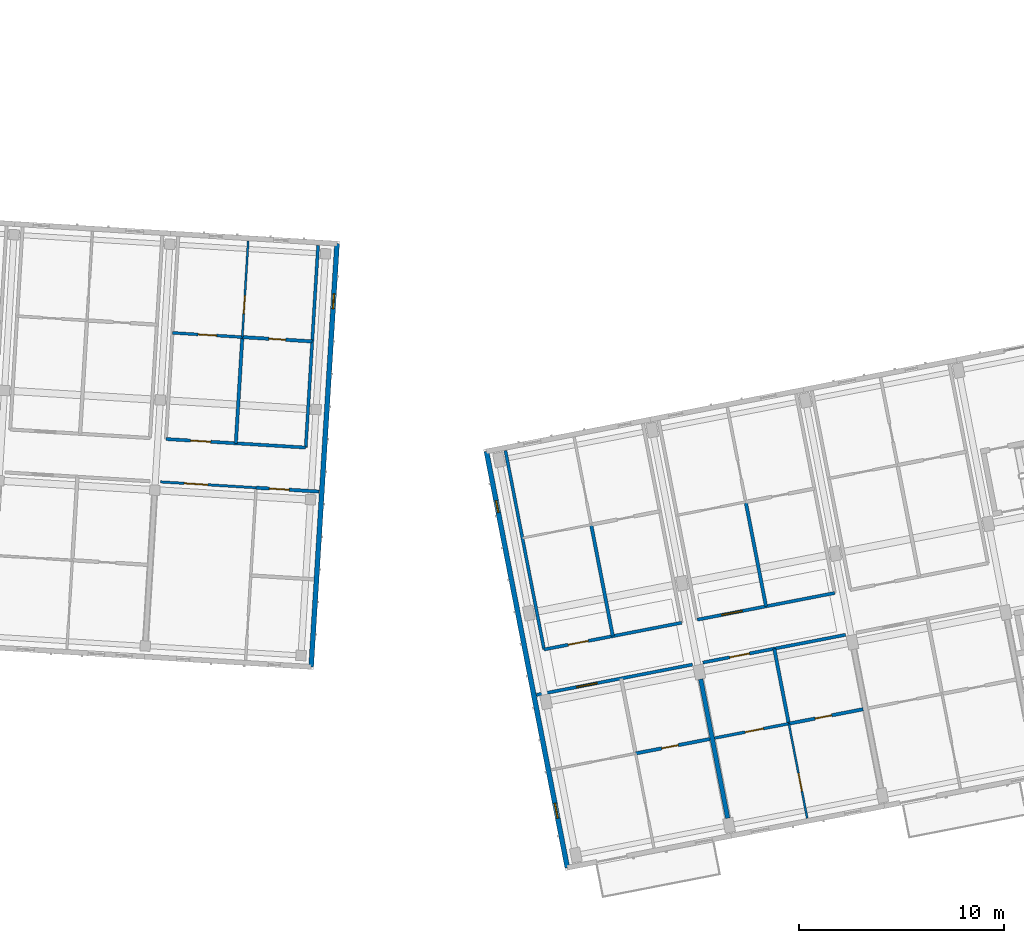
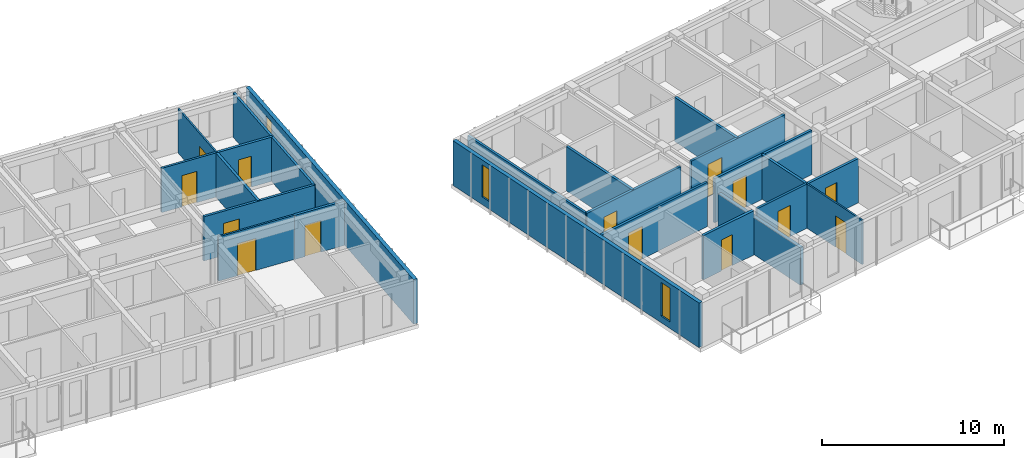
# One storey, part 28 of 66: 23 walls, 14 doors, 3 windows, 17 openings.
"""IFC4 building model written with IfcOpenShell, lengths in metres."""

from ifc_helpers import new_model, si_unit, direction, frame, frame_2d, origin, place, context, subcontext, project, spatial, rectangle, extrude, material, layer, layer_set, type_object, element, fill, save


model = new_model("IFC4")

# Units and contexts
model_context = context("Model", 3, precision=1e-05, world=origin(), true_north=direction((0.0, 1.0)))
body_context = subcontext(model_context, "Body", "Model", "MODEL_VIEW")
ifc_project = project(units=[si_unit("LENGTHUNIT", "METRE"), si_unit("AREAUNIT", "SQUARE_METRE"), si_unit("VOLUMEUNIT", "CUBIC_METRE"), si_unit("PLANEANGLEUNIT", "RADIAN"), si_unit("MASSUNIT", "GRAM", prefix="KILO")], contexts=[model_context])

# Site, building, storey
site_placement = place(None, origin())
site = spatial("IfcSite", under=ifc_project, at=site_placement, CompositionType="ELEMENT")
building_placement = place(site_placement, origin())
building = spatial("IfcBuilding", under=site, at=building_placement, Name="Kestramere Prow Commons", CompositionType="ELEMENT")
storey_placement = place(building_placement, frame((0.0, 0.0, 14.89990234375)))
storey = spatial("IfcBuildingStorey", under=building, at=storey_placement, Name="L04", CompositionType="ELEMENT", Elevation=14.89990234375)

# Wall, opening, window
ifc_material_1 = material(Name="Fluoropolymer Standing-Seam Zinc-Aluminium Cladding", Category="aluminium")
ifc_layer_1 = layer(ifc_material_1, 0.239990234375)
ifc_layer_set_1 = layer_set([ifc_layer_1], Name="Fluoropolymer Standing-Seam Zinc-Aluminium Cladding")
wall_type_1 = type_object("IfcWallType", Name="EW-SEAM-240", PredefinedType="SOLIDWALL", material=ifc_layer_set_1)
wall_1_placement = place(storey_placement, frame((106.767578125, 63.771484375, 0.0), z_axis=(0.0, 0.0, 1.0), x_axis=(-0.061053332998, -0.99813450523, 0.0)))
wall_1 = element("IfcWall", 1, at=wall_1_placement, inside=storey, type_object=wall_type_1, Name="Block C L04 EAV Facet Wall", PredefinedType="SOLIDWALL", context=body_context, shape_type="SweptSolid", body=[
    extrude(rectangle(XDim=20.64990234375, YDim=0.239990234375, at=frame_2d((10.324951171875, 0.0))), origin(), (0.0, 0.0, 1.0), 3.0),
])
opening_1_placement = place(wall_1_placement, frame((2.449951171875, 0.0, 0.449951171875)))
opening_1 = element("IfcOpeningElement", 2, at=opening_1_placement, cuts=wall_1, Name="Opening WN-08", PredefinedType="OPENING", context=body_context, shape_type="SweptSolid", body=[
    extrude(rectangle(XDim=0.719970703125, YDim=2.159912109375, at=frame_2d((0.35986328125, 1.080078125))), frame((0.0, 0.135009765625, 0.0), z_axis=(0.0, -1.0, 0.0), x_axis=(1.0, 0.0, 0.0)), (0.0, 0.0, 1.0), 0.27001953125),
])
ifc_material_2 = material(Name="Low-E Laminated Double Glazing", Category="glass")
window_type_1 = type_object("IfcWindowType", Name="WN-NAR-720A", PartitioningType="SINGLE_PANEL", PredefinedType="WINDOW", material=ifc_material_2)
window_1_placement = place(opening_1_placement, origin())
window_1 = element("IfcWindow", 3, at=window_1_placement, inside=storey, type_object=window_type_1, Name="WN-C-L04-EAV-0", OverallHeight=2.159912109375, OverallWidth=0.719970703125, PartitioningType="SINGLE_PANEL", PredefinedType="WINDOW", context=body_context, shape_type="SweptSolid", body=[
    extrude(rectangle(XDim=0.719970703125, YDim=2.159912109375, at=frame_2d((0.35986328125, 1.080078125))), frame((0.0, 0.030029296875, 0.0), z_axis=(0.0, -1.0, 0.0), x_axis=(1.0, 0.0, 0.0)), (0.0, 0.0, 1.0), 0.06005859375),
])
fill(opening_1, window_1)

# Wall, openings, windows
wall_2_placement = place(storey_placement, frame((117.98486328125, 33.384521484375, 0.0), z_axis=(0.0, 0.0, 1.0), x_axis=(-0.190808900739, 0.981627201843, 0.0)))
wall_2 = element("IfcWall", 4, at=wall_2_placement, inside=storey, type_object=wall_type_1, Name="Block D L04 EAV Facet Wall", PredefinedType="SOLIDWALL", context=body_context, shape_type="SweptSolid", body=[
    extrude(rectangle(XDim=20.64990234375, YDim=0.239990234375, at=frame_2d((10.324951171875, 0.0))), origin(), (0.0, 0.0, 1.0), 3.0),
])
opening_2_placement = place(wall_2_placement, frame((2.449951171875, 0.0, 0.449951171875)))
opening_2 = element("IfcOpeningElement", 5, at=opening_2_placement, cuts=wall_2, Name="Opening WN-09", PredefinedType="OPENING", context=body_context, shape_type="SweptSolid", body=[
    extrude(rectangle(XDim=0.739990234375, YDim=2.260009765625, at=frame_2d((0.3701171875, 1.1298828125))), frame((0.0, 0.135009765625, 0.0), z_axis=(0.0, -1.0, 0.0), x_axis=(1.0, 0.0, 0.0)), (0.0, 0.0, 1.0), 0.27001953125),
])
opening_3_placement = place(wall_2_placement, frame((17.6201171875, 0.0, 0.52001953125)))
opening_3 = element("IfcOpeningElement", 6, at=opening_3_placement, cuts=wall_2, Name="Opening WN-01", PredefinedType="OPENING", context=body_context, shape_type="SweptSolid", body=[
    extrude(rectangle(XDim=0.580078125, YDim=2.159912109375, at=frame_2d((0.2900390625, 1.080078125))), frame((0.0, 0.135009765625, 0.0), z_axis=(0.0, -1.0, 0.0), x_axis=(1.0, 0.0, 0.0)), (0.0, 0.0, 1.0), 0.27001953125),
])
window_type_2 = type_object("IfcWindowType", Name="WN-NAR-580A", PartitioningType="SINGLE_PANEL", PredefinedType="WINDOW", material=ifc_material_2)
window_2_placement = place(opening_3_placement, origin())
window_2 = element("IfcWindow", 7, at=window_2_placement, inside=storey, type_object=window_type_2, Name="WN-D-L04-EAV-1", OverallHeight=2.159912109375, OverallWidth=0.580078125, PartitioningType="SINGLE_PANEL", PredefinedType="WINDOW", context=body_context, shape_type="SweptSolid", body=[
    extrude(rectangle(XDim=0.580078125, YDim=2.159912109375, at=frame_2d((0.2900390625, 1.080078125))), frame((0.0, 0.030029296875, 0.0), z_axis=(0.0, -1.0, 0.0), x_axis=(1.0, 0.0, 0.0)), (0.0, 0.0, 1.0), 0.06005859375),
])
fill(opening_3, window_2)
window_type_3 = type_object("IfcWindowType", Name="WN-NAR-740A", PartitioningType="SINGLE_PANEL", PredefinedType="WINDOW", material=ifc_material_2)
window_3_placement = place(opening_2_placement, origin())
window_3 = element("IfcWindow", 8, at=window_3_placement, inside=storey, type_object=window_type_3, Name="WN-D-L04-EAV-0", OverallHeight=2.260009765625, OverallWidth=0.739990234375, PartitioningType="SINGLE_PANEL", PredefinedType="WINDOW", context=body_context, shape_type="SweptSolid", body=[
    extrude(rectangle(XDim=0.739990234375, YDim=2.260009765625, at=frame_2d((0.3701171875, 1.1298828125))), frame((0.0, 0.030029296875, 0.0), z_axis=(0.0, -1.0, 0.0), x_axis=(1.0, 0.0, 0.0)), (0.0, 0.0, 1.0), 0.06005859375),
])
fill(opening_2, window_3)

# Wall, opening, door
ifc_material_3 = material(Name="Fire-Rated Calcium Silicate Wall")
ifc_layer_2 = layer(ifc_material_3, 0.155029296875)
ifc_layer_set_2 = layer_set([ifc_layer_2], Name="Fire-Rated Calcium Silicate Wall")
wall_type_2 = type_object("IfcWallType", Name="W-FIRE-150", PredefinedType="PARTITIONING", material=ifc_layer_set_2)
wall_3_placement = place(storey_placement, frame((98.436279296875, 54.257568359375, 0.0), z_axis=(0.0, 0.0, 1.0), x_axis=(0.998133350094, -0.061072214879, 0.0)))
wall_3 = element("IfcWall", 9, at=wall_3_placement, inside=storey, type_object=wall_type_2, Name="Interior Partition PW-C-L04-CN-5", PredefinedType="PARTITIONING", context=body_context, shape_type="SweptSolid", body=[
    extrude(rectangle(XDim=6.81982421875, YDim=0.155029296875, at=frame_2d((3.409912109375, 0.0))), origin(), (0.0, 0.0, 1.0), 2.97021484375),
])
opening_4_placement = place(wall_3_placement, frame((1.205078125, 0.0, 0.0)))
opening_4 = element("IfcOpeningElement", 10, at=opening_4_placement, cuts=wall_3, Name="Opening ID-04", PredefinedType="OPENING", context=body_context, shape_type="SweptSolid", body=[
    extrude(rectangle(XDim=0.97998046875, YDim=2.14990234375, at=frame_2d((0.489990234375, 1.074951171875))), frame((0.0, 0.092529296875, 0.0), z_axis=(0.0, -1.0, 0.0), x_axis=(1.0, 0.0, 0.0)), (0.0, 0.0, 1.0), 0.18505859375),
])
ifc_material_4 = material(Name="Hardwood Fire-Rated Flat Entrance Door", Category="wood")
door_type_1 = type_object("IfcDoorType", Name="FD-ENT-01", OperationType="NOTDEFINED", PredefinedType="DOOR", material=ifc_material_4)
door_1_placement = place(opening_4_placement, origin())
door_1 = element("IfcDoor", 11, at=door_1_placement, inside=storey, type_object=door_type_1, Name="Interior Door DR-C-L04-ENT-N5", OperationType="SINGLE_SWING_RIGHT", OverallHeight=2.14990234375, OverallWidth=0.97998046875, PredefinedType="DOOR", context=body_context, shape_type="SweptSolid", body=[
    extrude(rectangle(XDim=0.97998046875, YDim=2.14990234375, at=frame_2d((0.489990234375, 1.074951171875))), frame((0.0, 0.02490234375, 0.0), z_axis=(0.0, -1.0, 0.0), x_axis=(1.0, 0.0, 0.0)), (0.0, 0.0, 1.0), 0.050048828125),
])
fill(opening_4, door_1)

wall_4_placement = place(storey_placement, frame((116.48193359375, 41.79736328125, 0.0), z_axis=(0.0, 0.0, 1.0), x_axis=(0.981629678105, 0.190796161028, 0.0)))
wall_4 = element("IfcWall", 12, at=wall_4_placement, inside=storey, type_object=wall_type_2, Name="Interior Partition PW-D-L04-CS-0", PredefinedType="PARTITIONING", context=body_context, shape_type="SweptSolid", body=[
    extrude(rectangle(XDim=7.735107421875, YDim=0.155029296875, at=frame_2d((3.86767578125, 0.0))), origin(), (0.0, 0.0, 1.0), 2.97021484375),
])
opening_5_placement = place(wall_4_placement, frame((1.985107421875, 0.0, 0.0)))
opening_5 = element("IfcOpeningElement", 13, at=opening_5_placement, cuts=wall_4, Name="Opening ID-05", PredefinedType="OPENING", context=body_context, shape_type="SweptSolid", body=[
    extrude(rectangle(XDim=1.02001953125, YDim=2.199951171875, at=frame_2d((0.510009765625, 1.10009765625))), frame((0.0, 0.092529296875, 0.0), z_axis=(0.0, -1.0, 0.0), x_axis=(1.0, 0.0, 0.0)), (0.0, 0.0, 1.0), 0.18505859375),
])
door_type_2 = type_object("IfcDoorType", Name="FD-ENT-02", OperationType="NOTDEFINED", PredefinedType="DOOR", material=ifc_material_4)
door_2_placement = place(opening_5_placement, origin())
door_2 = element("IfcDoor", 14, at=door_2_placement, inside=storey, type_object=door_type_2, Name="Interior Door DR-D-L04-ENT-S0", OperationType="SINGLE_SWING_LEFT", OverallHeight=2.199951171875, OverallWidth=1.02001953125, PredefinedType="DOOR", context=body_context, shape_type="SweptSolid", body=[
    extrude(rectangle(XDim=1.02001953125, YDim=2.199951171875, at=frame_2d((0.510009765625, 1.10009765625))), frame((0.0, 0.02490234375, 0.0), z_axis=(0.0, -1.0, 0.0), x_axis=(1.0, 0.0, 0.0)), (0.0, 0.0, 1.0), 0.050048828125),
])
fill(opening_5, door_2)

wall_5_placement = place(storey_placement, frame((124.585205078125, 43.372314453125, 0.0), z_axis=(0.0, 0.0, 1.0), x_axis=(0.9816234647, 0.190828125677, 0.0)))
wall_5 = element("IfcWall", 15, at=wall_5_placement, inside=storey, type_object=wall_type_2, Name="Interior Partition PW-D-L04-CS-1", PredefinedType="PARTITIONING", context=body_context, shape_type="SweptSolid", body=[
    extrude(rectangle(XDim=7.080078125, YDim=0.155029296875, at=frame_2d((3.5400390625, 0.0))), origin(), (0.0, 0.0, 1.0), 2.97021484375),
])
opening_6_placement = place(wall_5_placement, frame((1.330078125, 0.0, 0.0)))
opening_6 = element("IfcOpeningElement", 16, at=opening_6_placement, cuts=wall_5, Name="Opening ID-04", PredefinedType="OPENING", context=body_context, shape_type="SweptSolid", body=[
    extrude(rectangle(XDim=0.97998046875, YDim=2.14990234375, at=frame_2d((0.489990234375, 1.074951171875))), frame((0.0, 0.092529296875, 0.0), z_axis=(0.0, -1.0, 0.0), x_axis=(1.0, 0.0, 0.0)), (0.0, 0.0, 1.0), 0.18505859375),
])
door_3_placement = place(opening_6_placement, origin())
door_3 = element("IfcDoor", 17, at=door_3_placement, inside=storey, type_object=door_type_1, Name="Interior Door DR-D-L04-ENT-S1", OperationType="SINGLE_SWING_RIGHT", OverallHeight=2.14990234375, OverallWidth=0.97998046875, PredefinedType="DOOR", context=body_context, shape_type="SweptSolid", body=[
    extrude(rectangle(XDim=0.97998046875, YDim=2.14990234375, at=frame_2d((0.489990234375, 1.074951171875))), frame((0.0, 0.02490234375, 0.0), z_axis=(0.0, -1.0, 0.0), x_axis=(1.0, 0.0, 0.0)), (0.0, 0.0, 1.0), 0.050048828125),
])
fill(opening_6, door_3)

wall_6_placement = place(storey_placement, frame((116.851806640625, 44.008544921875, 0.0), z_axis=(0.0, 0.0, 1.0), x_axis=(0.981629173664, 0.190798756314, 0.0)))
wall_6 = element("IfcWall", 18, at=wall_6_placement, inside=storey, type_object=wall_type_2, Name="Interior Partition PW-D-L04-CN-0", PredefinedType="PARTITIONING", context=body_context, shape_type="SweptSolid", body=[
    extrude(rectangle(XDim=6.820068359375, YDim=0.155029296875, at=frame_2d((3.41015625, 0.0))), origin(), (0.0, 0.0, 1.0), 2.97021484375),
])
opening_7_placement = place(wall_6_placement, frame((1.205078125, 0.0, 0.0)))
opening_7 = element("IfcOpeningElement", 19, at=opening_7_placement, cuts=wall_6, Name="Opening ID-04", PredefinedType="OPENING", context=body_context, shape_type="SweptSolid", body=[
    extrude(rectangle(XDim=0.97998046875, YDim=2.14990234375, at=frame_2d((0.489990234375, 1.074951171875))), frame((0.0, 0.092529296875, 0.0), z_axis=(0.0, -1.0, 0.0), x_axis=(1.0, 0.0, 0.0)), (0.0, 0.0, 1.0), 0.18505859375),
])
door_4_placement = place(opening_7_placement, origin())
door_4 = element("IfcDoor", 20, at=door_4_placement, inside=storey, type_object=door_type_1, Name="Interior Door DR-D-L04-ENT-N0", OperationType="SINGLE_SWING_RIGHT", OverallHeight=2.14990234375, OverallWidth=0.97998046875, PredefinedType="DOOR", context=body_context, shape_type="SweptSolid", body=[
    extrude(rectangle(XDim=0.97998046875, YDim=2.14990234375, at=frame_2d((0.489990234375, 1.074951171875))), frame((0.0, 0.02490234375, 0.0), z_axis=(0.0, -1.0, 0.0), x_axis=(1.0, 0.0, 0.0)), (0.0, 0.0, 1.0), 0.050048828125),
])
fill(opening_7, door_4)

wall_7_placement = place(storey_placement, frame((124.312255859375, 45.458740234375, 0.0), z_axis=(0.0, 0.0, 1.0), x_axis=(0.981627870431, 0.190805461121, 0.0)))
wall_7 = element("IfcWall", 21, at=wall_7_placement, inside=storey, type_object=wall_type_2, Name="Interior Partition PW-D-L04-CN-1", PredefinedType="PARTITIONING", context=body_context, shape_type="SweptSolid", body=[
    extrude(rectangle(XDim=6.81982421875, YDim=0.155029296875, at=frame_2d((3.409912109375, 0.0))), origin(), (0.0, 0.0, 1.0), 2.97021484375),
])
opening_8_placement = place(wall_7_placement, frame((1.205078125, 0.0, 0.0)))
opening_8 = element("IfcOpeningElement", 22, at=opening_8_placement, cuts=wall_7, Name="Opening ID-05", PredefinedType="OPENING", context=body_context, shape_type="SweptSolid", body=[
    extrude(rectangle(XDim=1.02001953125, YDim=2.199951171875, at=frame_2d((0.510009765625, 1.10009765625))), frame((0.0, 0.092529296875, 0.0), z_axis=(0.0, -1.0, 0.0), x_axis=(1.0, 0.0, 0.0)), (0.0, 0.0, 1.0), 0.18505859375),
])
door_5_placement = place(opening_8_placement, origin())
door_5 = element("IfcDoor", 23, at=door_5_placement, inside=storey, type_object=door_type_2, Name="Interior Door DR-D-L04-ENT-N1", OperationType="SINGLE_SWING_LEFT", OverallHeight=2.199951171875, OverallWidth=1.02001953125, PredefinedType="DOOR", context=body_context, shape_type="SweptSolid", body=[
    extrude(rectangle(XDim=1.02001953125, YDim=2.199951171875, at=frame_2d((0.510009765625, 1.10009765625))), frame((0.0, 0.02490234375, 0.0), z_axis=(0.0, -1.0, 0.0), x_axis=(1.0, 0.0, 0.0)), (0.0, 0.0, 1.0), 0.050048828125),
])
fill(opening_8, door_5)

ifc_material_5 = material(Name="Gypsum Acoustic Drywall")
ifc_layer_3 = layer(ifc_material_5, 0.10009765625)
ifc_layer_set_3 = layer_set([ifc_layer_3], Name="Gypsum Acoustic Drywall")
wall_type_3 = type_object("IfcWallType", Name="W-PART-100", PredefinedType="PARTITIONING", material=ifc_layer_set_3)
wall_8_placement = place(storey_placement, frame((102.156005859375, 59.2197265625, 0.0), z_axis=(0.0, 0.0, 1.0), x_axis=(0.061062434628, 0.998133948465, 0.0)))
wall_8 = element("IfcWall", 24, at=wall_8_placement, inside=storey, type_object=wall_type_3, Name="Interior Partition PW-C-L04-LB-N5", PredefinedType="PARTITIONING", context=body_context, shape_type="SweptSolid", body=[
    extrude(rectangle(XDim=4.68994140625, YDim=0.10009765625, at=frame_2d((2.344970703125, 0.0))), origin(), (0.0, 0.0, 1.0), 2.97021484375),
])
opening_9_placement = place(wall_8_placement, frame((1.14990234375, 0.0, 0.0)))
opening_9 = element("IfcOpeningElement", 25, at=opening_9_placement, cuts=wall_8, Name="Opening ID-10", PredefinedType="OPENING", context=body_context, shape_type="SweptSolid", body=[
    extrude(rectangle(XDim=0.8798828125, YDim=2.10009765625, at=frame_2d((0.43994140625, 1.050048828125))), frame((0.0, 0.06494140625, 0.0), z_axis=(0.0, -1.0, 0.0), x_axis=(1.0, 0.0, 0.0)), (0.0, 0.0, 1.0), 0.130126953125),
])
ifc_material_6 = material(Name="Engineered Timber Bedroom Door", Category="wood")
door_type_3 = type_object("IfcDoorType", Name="D-RM-03", OperationType="NOTDEFINED", PredefinedType="DOOR", material=ifc_material_6)
door_6_placement = place(opening_9_placement, origin())
door_6 = element("IfcDoor", 26, at=door_6_placement, inside=storey, type_object=door_type_3, Name="Interior Door DR-C-L04-BED-N5", OperationType="SINGLE_SWING_LEFT", OverallHeight=2.10009765625, OverallWidth=0.8798828125, PredefinedType="DOOR", context=body_context, shape_type="SweptSolid", body=[
    extrude(rectangle(XDim=0.8798828125, YDim=2.10009765625, at=frame_2d((0.43994140625, 1.050048828125))), frame((0.0, 0.02490234375, 0.0), z_axis=(0.0, -1.0, 0.0), x_axis=(1.0, 0.0, 0.0)), (0.0, 0.0, 1.0), 0.050048828125),
])
fill(opening_9, door_6)

wall_9_placement = place(storey_placement, frame((129.6650390625, 35.79248046875, 0.0), z_axis=(0.0, 0.0, 1.0), x_axis=(-0.190837612577, 0.981621620394, 0.0)))
wall_9 = element("IfcWall", 27, at=wall_9_placement, inside=storey, type_object=wall_type_3, Name="Interior Partition PW-D-L04-LB-S1", PredefinedType="PARTITIONING", context=body_context, shape_type="SweptSolid", body=[
    extrude(rectangle(XDim=4.68994140625, YDim=0.10009765625, at=frame_2d((2.344970703125, 0.0))), origin(), (0.0, 0.0, 1.0), 2.97021484375),
])
opening_10_placement = place(wall_9_placement, frame((1.35009765625, 0.0, 0.0)))
opening_10 = element("IfcOpeningElement", 28, at=opening_10_placement, cuts=wall_9, Name="Opening ID-10", PredefinedType="OPENING", context=body_context, shape_type="SweptSolid", body=[
    extrude(rectangle(XDim=0.8798828125, YDim=2.10009765625, at=frame_2d((0.43994140625, 1.050048828125))), frame((0.0, 0.06494140625, 0.0), z_axis=(0.0, -1.0, 0.0), x_axis=(1.0, 0.0, 0.0)), (0.0, 0.0, 1.0), 0.130126953125),
])
door_7_placement = place(opening_10_placement, origin())
door_7 = element("IfcDoor", 29, at=door_7_placement, inside=storey, type_object=door_type_3, Name="Interior Door DR-D-L04-BED-S1", OperationType="SINGLE_SWING_RIGHT", OverallHeight=2.10009765625, OverallWidth=0.8798828125, PredefinedType="DOOR", context=body_context, shape_type="SweptSolid", body=[
    extrude(rectangle(XDim=0.8798828125, YDim=2.10009765625, at=frame_2d((0.43994140625, 1.050048828125))), frame((0.0, 0.02490234375, 0.0), z_axis=(0.0, -1.0, 0.0), x_axis=(1.0, 0.0, 0.0)), (0.0, 0.0, 1.0), 0.050048828125),
])
fill(opening_10, door_7)

ifc_material_7 = material(Name="Lightweight Blockwork and Plaster", Category="masonry")
ifc_layer_4 = layer(ifc_material_7, 0.1201171875)
ifc_layer_set_4 = layer_set([ifc_layer_4], Name="Lightweight Blockwork and Plaster")
wall_type_4 = type_object("IfcWallType", Name="W-PART-120", PredefinedType="PARTITIONING", material=ifc_layer_set_4)
wall_10_placement = place(storey_placement, frame((98.17822265625, 52.16943359375, 0.0), z_axis=(0.0, 0.0, 1.0), x_axis=(0.998132468034, -0.061086629106, 0.0)))
wall_10 = element("IfcWall", 30, at=wall_10_placement, inside=storey, type_object=wall_type_4, Name="Interior Partition PW-C-L04-CS-5A", PredefinedType="PARTITIONING", context=body_context, shape_type="SweptSolid", body=[
    extrude(rectangle(XDim=4.66015625, YDim=0.1201171875, at=frame_2d((2.330078125, 0.0))), origin(), (0.0, 0.0, 1.0), 2.97021484375),
])
opening_11_placement = place(wall_10_placement, frame((1.14990234375, 0.0, 0.0)))
opening_11 = element("IfcOpeningElement", 31, at=opening_11_placement, cuts=wall_10, Name="Opening ID-09", PredefinedType="OPENING", context=body_context, shape_type="SweptSolid", body=[
    extrude(rectangle(XDim=1.14990234375, YDim=2.14990234375, at=frame_2d((0.574951171875, 1.074951171875))), frame((0.0, 0.074951171875, 0.0), z_axis=(0.0, -1.0, 0.0), x_axis=(1.0, 0.0, 0.0)), (0.0, 0.0, 1.0), 0.150146484375),
])
ifc_material_8 = material(Name="Engineered Timber Acoustic Door", Category="wood")
door_type_4 = type_object("IfcDoorType", Name="D-RM-02", OperationType="NOTDEFINED", PredefinedType="DOOR", material=ifc_material_8)
door_8_placement = place(opening_11_placement, origin())
door_8 = element("IfcDoor", 32, at=door_8_placement, inside=storey, type_object=door_type_4, Name="Interior Door DR-C-L04-SKY-5", OperationType="SINGLE_SWING_LEFT", OverallHeight=2.14990234375, OverallWidth=1.14990234375, PredefinedType="DOOR", context=body_context, shape_type="SweptSolid", body=[
    extrude(rectangle(XDim=1.14990234375, YDim=2.14990234375, at=frame_2d((0.574951171875, 1.074951171875))), frame((0.0, 0.02490234375, 0.0), z_axis=(0.0, -1.0, 0.0), x_axis=(1.0, 0.0, 0.0)), (0.0, 0.0, 1.0), 0.050048828125),
])
fill(opening_11, door_8)

ifc_material_9 = material(Name="Masonry Compartment Wall", Category="masonry")
ifc_layer_5 = layer(ifc_material_9, 0.139892578125)
ifc_layer_set_5 = layer_set([ifc_layer_5], Name="Masonry Compartment Wall")
wall_type_5 = type_object("IfcWallType", Name="W-PART-140", PredefinedType="PARTITIONING", material=ifc_layer_set_5)
wall_11_placement = place(storey_placement, frame((98.75244140625, 59.427734375, 0.0), z_axis=(0.0, 0.0, 1.0), x_axis=(0.998137711988, -0.061000884486, 0.0)))
wall_11 = element("IfcWall", 33, at=wall_11_placement, inside=storey, type_object=wall_type_5, Name="Interior Partition PW-C-L04-MIDN1-5", PredefinedType="PARTITIONING", context=body_context, shape_type="SweptSolid", body=[
    extrude(rectangle(XDim=3.409912109375, YDim=0.139892578125, at=frame_2d((1.705078125, 0.0))), origin(), (0.0, 0.0, 1.0), 2.97021484375),
])
opening_12_placement = place(wall_11_placement, frame((1.2548828125, 0.0, 0.0)))
opening_12 = element("IfcOpeningElement", 34, at=opening_12_placement, cuts=wall_11, Name="Opening ID-08", PredefinedType="OPENING", context=body_context, shape_type="SweptSolid", body=[
    extrude(rectangle(XDim=0.89990234375, YDim=2.10009765625, at=frame_2d((0.449951171875, 1.050048828125))), frame((0.0, 0.0849609375, 0.0), z_axis=(0.0, -1.0, 0.0), x_axis=(1.0, 0.0, 0.0)), (0.0, 0.0, 1.0), 0.169921875),
])
ifc_material_10 = material(Name="Engineered Timber Flush Door", Category="wood")
door_type_5 = type_object("IfcDoorType", Name="D-RM-01", OperationType="NOTDEFINED", PredefinedType="DOOR", material=ifc_material_10)
door_9_placement = place(opening_12_placement, origin())
door_9 = element("IfcDoor", 35, at=door_9_placement, inside=storey, type_object=door_type_5, Name="Interior Door DR-C-L04-KL-N5", OperationType="SINGLE_SWING_LEFT", OverallHeight=2.10009765625, OverallWidth=0.89990234375, PredefinedType="DOOR", context=body_context, shape_type="SweptSolid", body=[
    extrude(rectangle(XDim=0.89990234375, YDim=2.10009765625, at=frame_2d((0.449951171875, 1.050048828125))), frame((0.0, 0.02490234375, 0.0), z_axis=(0.0, -1.0, 0.0), x_axis=(1.0, 0.0, 0.0)), (0.0, 0.0, 1.0), 0.050048828125),
])
fill(opening_12, door_9)

wall_12_placement = place(storey_placement, frame((125.15283203125, 39.693115234375, 0.0), z_axis=(0.0, 0.0, 1.0), x_axis=(0.981626422232, 0.190812911449, 0.0)))
wall_12 = element("IfcWall", 36, at=wall_12_placement, inside=storey, type_object=wall_type_5, Name="Interior Partition PW-D-L04-MIDS1-1", PredefinedType="PARTITIONING", context=body_context, shape_type="SweptSolid", body=[
    extrude(rectangle(XDim=3.684814453125, YDim=0.139892578125, at=frame_2d((1.84228515625, 0.0))), origin(), (0.0, 0.0, 1.0), 2.97021484375),
])
opening_13_placement = place(wall_12_placement, frame((1.52490234375, 0.0, 0.0)))
opening_13 = element("IfcOpeningElement", 37, at=opening_13_placement, cuts=wall_12, Name="Opening ID-08", PredefinedType="OPENING", context=body_context, shape_type="SweptSolid", body=[
    extrude(rectangle(XDim=0.89990234375, YDim=2.10009765625, at=frame_2d((0.449951171875, 1.050048828125))), frame((0.0, 0.0849609375, 0.0), z_axis=(0.0, -1.0, 0.0), x_axis=(1.0, 0.0, 0.0)), (0.0, 0.0, 1.0), 0.169921875),
])
door_10_placement = place(opening_13_placement, origin())
door_10 = element("IfcDoor", 38, at=door_10_placement, inside=storey, type_object=door_type_5, Name="Interior Door DR-D-L04-KL-S1", OperationType="SINGLE_SWING_RIGHT", OverallHeight=2.10009765625, OverallWidth=0.89990234375, PredefinedType="DOOR", context=body_context, shape_type="SweptSolid", body=[
    extrude(rectangle(XDim=0.89990234375, YDim=2.10009765625, at=frame_2d((0.449951171875, 1.050048828125))), frame((0.0, 0.02490234375, 0.0), z_axis=(0.0, -1.0, 0.0), x_axis=(1.0, 0.0, 0.0)), (0.0, 0.0, 1.0), 0.050048828125),
])
fill(opening_13, door_10)

# Walls
ifc_layer_6 = layer(ifc_material_9, 0.14990234375)
ifc_layer_set_6 = layer_set([ifc_layer_6], Name="Masonry Compartment Wall")
wall_type_6 = type_object("IfcWallType", Name="W-PART-150", PredefinedType="PARTITIONING", material=ifc_layer_set_6)
for number, where, z_axis, x_axis, name in (
    (39, (105.243408203125, 53.841064453125, 0.0), (0.0, 0.0, 1.0), (0.061047700465, 0.998134849741, 0.0), "Interior Partition PW-C-L04-NWR-5"),
    (40, (116.851806640625, 44.008544921875, 0.0), (0.0, 0.0, 1.0), (-0.190814044018, 0.981626202078, 0.0), "Interior Partition PW-D-L04-NWL-0"),
):
    element("IfcWall", number, at=place(storey_placement, frame(where, z_axis=z_axis, x_axis=x_axis)), inside=storey, type_object=wall_type_6, Name=name, PredefinedType="PARTITIONING", context=body_context, shape_type="SweptSolid", body=[
        extrude(rectangle(XDim=9.869873046875, YDim=0.14990234375, at=frame_2d((4.93505859375, 0.0))), origin(), (0.0, 0.0, 1.0), 2.97021484375),
    ])

# Wall, opening, door
ifc_material_11 = material(Name="Waterproof Sanitary Masonry Wall", Category="masonry")
ifc_layer_7 = layer(ifc_material_11, 0.1650390625)
ifc_layer_set_7 = layer_set([ifc_layer_7], Name="Waterproof Sanitary Masonry Wall")
wall_type_7 = type_object("IfcWallType", Name="W-PLUMB-150", PredefinedType="PLUMBINGWALL", material=ifc_layer_set_7)
wall_13_placement = place(storey_placement, frame((102.82958984375, 51.884765625, 0.0), z_axis=(0.0, 0.0, 1.0), x_axis=(0.998134491017, -0.061053565351, 0.0)))
wall_13 = element("IfcWall", 41, at=wall_13_placement, inside=storey, type_object=wall_type_7, Name="Interior Partition PW-C-L04-CS-5B", PredefinedType="PLUMBINGWALL", context=body_context, shape_type="SweptSolid", body=[
    extrude(rectangle(XDim=3.074951171875, YDim=0.1650390625, at=frame_2d((1.53759765625, 0.0))), origin(), (0.0, 0.0, 1.0), 2.97021484375),
])
opening_14_placement = place(wall_13_placement, frame((0.64990234375, 0.0, 0.0)))
opening_14 = element("IfcOpeningElement", 42, at=opening_14_placement, cuts=wall_13, Name="Opening ID-13", PredefinedType="OPENING", context=body_context, shape_type="SweptSolid", body=[
    extrude(rectangle(XDim=0.9599609375, YDim=2.1201171875, at=frame_2d((0.47998046875, 1.06005859375))), frame((0.0, 0.097412109375, 0.0), z_axis=(0.0, -1.0, 0.0), x_axis=(1.0, 0.0, 0.0)), (0.0, 0.0, 1.0), 0.195068359375),
])
ifc_material_12 = material(Name="Accessible Wide-Leaf Timber Door", Category="wood")
door_type_6 = type_object("IfcDoorType", Name="D-ACC-01", OperationType="NOTDEFINED", PredefinedType="DOOR", material=ifc_material_12)
door_11_placement = place(opening_14_placement, origin())
door_11 = element("IfcDoor", 43, at=door_11_placement, inside=storey, type_object=door_type_6, Name="Interior Door DR-C-L04-SKWC-5", OperationType="SINGLE_SWING_RIGHT", OverallHeight=2.1201171875, OverallWidth=0.9599609375, PredefinedType="DOOR", context=body_context, shape_type="SweptSolid", body=[
    extrude(rectangle(XDim=0.9599609375, YDim=2.1201171875, at=frame_2d((0.47998046875, 1.06005859375))), frame((0.0, 0.02490234375, 0.0), z_axis=(0.0, -1.0, 0.0), x_axis=(1.0, 0.0, 0.0)), (0.0, 0.0, 1.0), 0.050048828125),
])
fill(opening_14, door_11)

wall_14_placement = place(storey_placement, frame((102.156005859375, 59.2197265625, 0.0), z_axis=(0.0, 0.0, 1.0), x_axis=(0.998133617109, -0.061067850767, 0.0)))
wall_14 = element("IfcWall", 44, at=wall_14_placement, inside=storey, type_object=wall_type_7, Name="Interior Partition PW-C-L04-MIDN2-5", PredefinedType="PLUMBINGWALL", context=body_context, shape_type="SweptSolid", body=[
    extrude(rectangle(XDim=3.41015625, YDim=0.1650390625, at=frame_2d((1.705078125, 0.0))), origin(), (0.0, 0.0, 1.0), 2.97021484375),
])
opening_15_placement = place(wall_14_placement, frame((1.294921875, 0.0, 0.0)))
opening_15 = element("IfcOpeningElement", 45, at=opening_15_placement, cuts=wall_14, Name="Opening ID-11", PredefinedType="OPENING", context=body_context, shape_type="SweptSolid", body=[
    extrude(rectangle(XDim=0.820068359375, YDim=2.080078125, at=frame_2d((0.41015625, 1.0400390625))), frame((0.0, 0.097412109375, 0.0), z_axis=(0.0, -1.0, 0.0), x_axis=(1.0, 0.0, 0.0)), (0.0, 0.0, 1.0), 0.195068359375),
])
ifc_material_13 = material(Name="Moisture-Resistant Timber Bathroom Door", Category="wood")
door_type_7 = type_object("IfcDoorType", Name="D-BT-01", OperationType="NOTDEFINED", PredefinedType="DOOR", material=ifc_material_13)
door_12_placement = place(opening_15_placement, origin())
door_12 = element("IfcDoor", 46, at=door_12_placement, inside=storey, type_object=door_type_7, Name="Interior Door DR-C-L04-BTH-N5", OperationType="SINGLE_SWING_RIGHT", OverallHeight=2.080078125, OverallWidth=0.820068359375, PredefinedType="DOOR", context=body_context, shape_type="SweptSolid", body=[
    extrude(rectangle(XDim=0.820068359375, YDim=2.080078125, at=frame_2d((0.41015625, 1.0400390625))), frame((0.0, 0.02490234375, 0.0), z_axis=(0.0, -1.0, 0.0), x_axis=(1.0, 0.0, 0.0)), (0.0, 0.0, 1.0), 0.050048828125),
])
fill(opening_15, door_12)

# Wall
wall_15_placement = place(storey_placement, frame((101.83984375, 54.04931640625, 0.0), z_axis=(0.0, 0.0, 1.0), x_axis=(0.06103436051, 0.998135665547, 0.0)))
element("IfcWall", 47, at=wall_15_placement, inside=storey, type_object=wall_type_7, Name="Interior Partition PW-C-L04-KB-N5", PredefinedType="PLUMBINGWALL", context=body_context, shape_type="SweptSolid", body=[
    extrude(rectangle(XDim=5.18017578125, YDim=0.1650390625, at=frame_2d((2.590087890625, 0.0))), origin(), (0.0, 0.0, 1.0), 2.97021484375),
])

# Wall, opening, door
wall_16_placement = place(storey_placement, frame((121.309814453125, 38.946044921875, 0.0), z_axis=(0.0, 0.0, 1.0), x_axis=(0.981626422232, 0.190812911449, 0.0)))
wall_16 = element("IfcWall", 48, at=wall_16_placement, inside=storey, type_object=wall_type_7, Name="Interior Partition PW-D-L04-MIDS2-0", PredefinedType="PLUMBINGWALL", context=body_context, shape_type="SweptSolid", body=[
    extrude(rectangle(XDim=3.684814453125, YDim=0.1650390625, at=frame_2d((1.84228515625, 0.0))), origin(), (0.0, 0.0, 1.0), 2.97021484375),
])
opening_16_placement = place(wall_16_placement, frame((1.300048828125, 0.0, 0.0)))
opening_16 = element("IfcOpeningElement", 49, at=opening_16_placement, cuts=wall_16, Name="Opening ID-11", PredefinedType="OPENING", context=body_context, shape_type="SweptSolid", body=[
    extrude(rectangle(XDim=0.820068359375, YDim=2.080078125, at=frame_2d((0.41015625, 1.0400390625))), frame((0.0, 0.097412109375, 0.0), z_axis=(0.0, -1.0, 0.0), x_axis=(1.0, 0.0, 0.0)), (0.0, 0.0, 1.0), 0.195068359375),
])
door_13_placement = place(opening_16_placement, origin())
door_13 = element("IfcDoor", 50, at=door_13_placement, inside=storey, type_object=door_type_7, Name="Interior Door DR-D-L04-BTH-S0", OperationType="SINGLE_SWING_LEFT", OverallHeight=2.080078125, OverallWidth=0.820068359375, PredefinedType="DOOR", context=body_context, shape_type="SweptSolid", body=[
    extrude(rectangle(XDim=0.820068359375, YDim=2.080078125, at=frame_2d((0.41015625, 1.0400390625))), frame((0.0, 0.02490234375, 0.0), z_axis=(0.0, -1.0, 0.0), x_axis=(1.0, 0.0, 0.0)), (0.0, 0.0, 1.0), 0.050048828125),
])
fill(opening_16, door_13)

wall_17_placement = place(storey_placement, frame((128.77001953125, 40.396240234375, 0.0), z_axis=(0.0, 0.0, 1.0), x_axis=(0.981628834294, 0.190800502313, 0.0)))
wall_17 = element("IfcWall", 51, at=wall_17_placement, inside=storey, type_object=wall_type_7, Name="Interior Partition PW-D-L04-MIDS2-1", PredefinedType="PLUMBINGWALL", context=body_context, shape_type="SweptSolid", body=[
    extrude(rectangle(XDim=3.68505859375, YDim=0.1650390625, at=frame_2d((1.842529296875, 0.0))), origin(), (0.0, 0.0, 1.0), 2.97021484375),
])
opening_17_placement = place(wall_17_placement, frame((1.300048828125, 0.0, 0.0)))
opening_17 = element("IfcOpeningElement", 52, at=opening_17_placement, cuts=wall_17, Name="Opening ID-11", PredefinedType="OPENING", context=body_context, shape_type="SweptSolid", body=[
    extrude(rectangle(XDim=0.820068359375, YDim=2.080078125, at=frame_2d((0.41015625, 1.0400390625))), frame((0.0, 0.097412109375, 0.0), z_axis=(0.0, -1.0, 0.0), x_axis=(1.0, 0.0, 0.0)), (0.0, 0.0, 1.0), 0.195068359375),
])
door_14_placement = place(opening_17_placement, origin())
door_14 = element("IfcDoor", 53, at=door_14_placement, inside=storey, type_object=door_type_7, Name="Interior Door DR-D-L04-BTH-S1", OperationType="SINGLE_SWING_LEFT", OverallHeight=2.080078125, OverallWidth=0.820068359375, PredefinedType="DOOR", context=body_context, shape_type="SweptSolid", body=[
    extrude(rectangle(XDim=0.820068359375, YDim=2.080078125, at=frame_2d((0.41015625, 1.0400390625))), frame((0.0, 0.02490234375, 0.0), z_axis=(0.0, -1.0, 0.0), x_axis=(1.0, 0.0, 0.0)), (0.0, 0.0, 1.0), 0.050048828125),
])
fill(opening_17, door_14)

# Walls
wall_18_placement = place(storey_placement, frame((128.77001953125, 40.396240234375, 0.0), z_axis=(0.0, 0.0, 1.0), x_axis=(-0.190787096078, 0.981631439987, 0.0)))
element("IfcWall", 54, at=wall_18_placement, inside=storey, type_object=wall_type_7, Name="Interior Partition PW-D-L04-KB-S1", PredefinedType="PLUMBINGWALL", context=body_context, shape_type="SweptSolid", body=[
    extrude(rectangle(XDim=3.719970703125, YDim=0.1650390625, at=frame_2d((1.85986328125, 0.0))), origin(), (0.0, 0.0, 1.0), 2.97021484375),
])
wall_19_placement = place(storey_placement, frame((120.19921875, 44.6591796875, 0.0), z_axis=(0.0, 0.0, 1.0), x_axis=(-0.190807031124, 0.981627565258, 0.0)))
element("IfcWall", 55, at=wall_19_placement, inside=storey, type_object=wall_type_7, Name="Interior Partition PW-D-L04-KB-N0", PredefinedType="PLUMBINGWALL", context=body_context, shape_type="SweptSolid", body=[
    extrude(rectangle(XDim=5.530029296875, YDim=0.1650390625, at=frame_2d((2.76513671875, 0.0))), origin(), (0.0, 0.0, 1.0), 2.97021484375),
])
wall_20_placement = place(storey_placement, frame((127.65966796875, 46.109375, 0.0), z_axis=(0.0, 0.0, 1.0), x_axis=(-0.190838120755, 0.981621521599, 0.0)))
element("IfcWall", 56, at=wall_20_placement, inside=storey, type_object=wall_type_7, Name="Interior Partition PW-D-L04-KB-N1", PredefinedType="PLUMBINGWALL", context=body_context, shape_type="SweptSolid", body=[
    extrude(rectangle(XDim=5.179931640625, YDim=0.1650390625, at=frame_2d((2.58984375, 0.0))), origin(), (0.0, 0.0, 1.0), 2.97021484375),
])
ifc_material_14 = material(Name="Precast concrete C40/50", Category="concrete")
ifc_layer_8 = layer(ifc_material_14, 0.219970703125)
ifc_layer_set_8 = layer_set([ifc_layer_8], Name="Precast concrete C40/50")
wall_type_8 = type_object("IfcWallType", Name="W-XWALL-220", PredefinedType="SHEAR", material=ifc_layer_set_8)
wall_21_placement = place(storey_placement, frame((125.793701171875, 35.793701171875, 0.0), z_axis=(0.0, 0.0, 1.0), x_axis=(-0.190819465253, 0.981625148252, 0.0)))
element("IfcWall", 57, at=wall_21_placement, inside=storey, type_object=wall_type_8, Name="Block D L04 Precast Cross-Wall 1", PredefinedType="SHEAR", context=body_context, shape_type="SweptSolid", body=[
    extrude(rectangle(XDim=6.89990234375, YDim=0.219970703125, at=frame_2d((3.449951171875, 0.0))), origin(), (0.0, 0.0, 1.0), 2.5),
])

save(model, "model.ifc")
